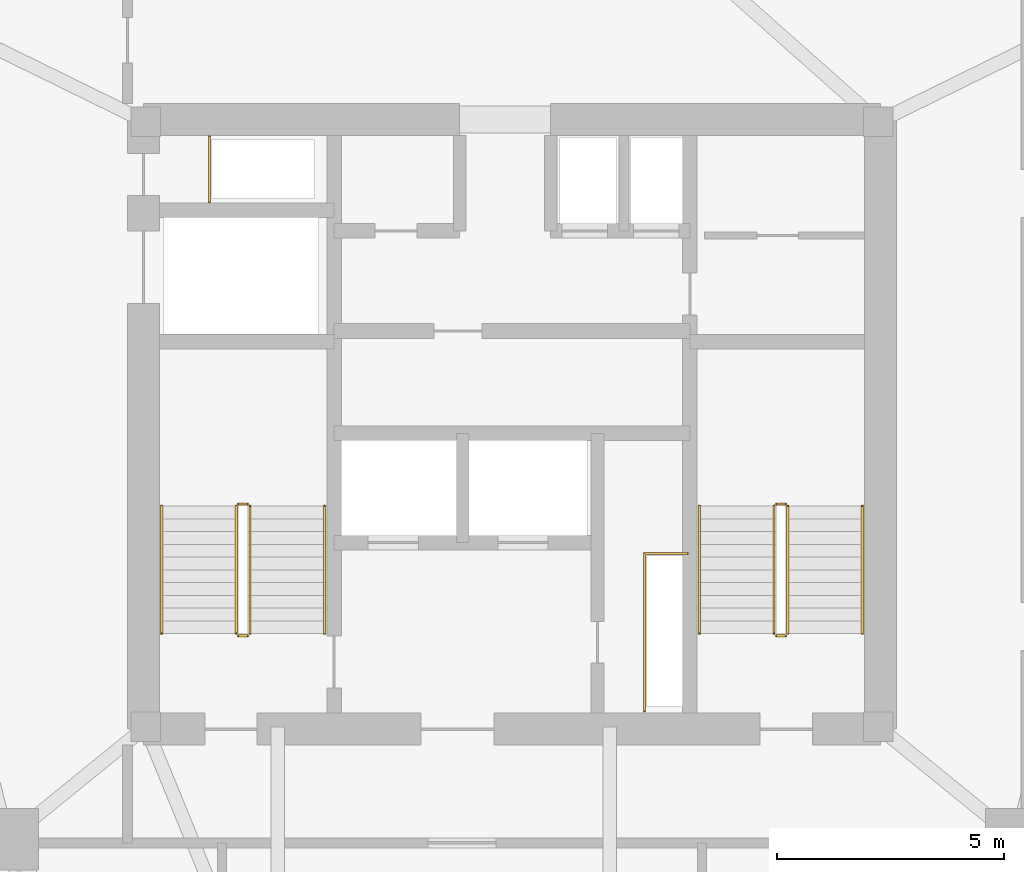
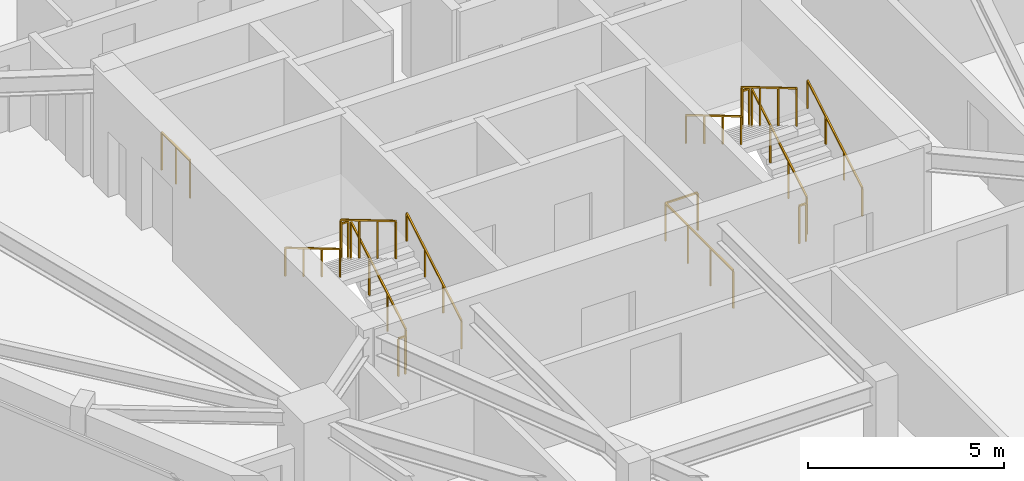
# One storey, part 12 of 12: 14 railings.
"""IFC4 building model written with IfcOpenShell, lengths in metres."""

from ifc_helpers import new_model, si_unit, direction, frame, origin, origin_2d, place, context, subcontext, project, spatial, rectangle, extrude, material, type_object, element, save


model = new_model("IFC4")

# Units and contexts
model_context = context("Model", 3, precision=1e-05, world=origin(), true_north=direction((0.0, 1.0)))
body_context = subcontext(model_context, "Body", "Model", "MODEL_VIEW")
ifc_project = project(units=[si_unit("LENGTHUNIT", "METRE"), si_unit("AREAUNIT", "SQUARE_METRE"), si_unit("VOLUMEUNIT", "CUBIC_METRE"), si_unit("PLANEANGLEUNIT", "RADIAN"), si_unit("MASSUNIT", "GRAM", prefix="KILO")], contexts=[model_context])

# Site, building, storey
site_placement = place(None, origin())
site = spatial("IfcSite", under=ifc_project, at=site_placement, CompositionType="ELEMENT")
building_placement = place(site_placement, origin())
building = spatial("IfcBuilding", under=site, at=building_placement, Name="Talyreon Biosciences Tower", CompositionType="ELEMENT")
storey_placement = place(building_placement, frame((0.0, 0.0, 215.89990234375)))
storey = spatial("IfcBuildingStorey", under=building, at=storey_placement, Name="L57", CompositionType="ELEMENT", Elevation=215.89990234375)

# Railings
ifc_material_1 = material(Name="Brushed stainless-steel tubular handrail", Category="steel")
railing_type_1 = type_object("IfcRailingType", Name="StairWallHandrail_900", PredefinedType="HANDRAIL", material=ifc_material_1)
railing_1_placement = place(storey_placement, frame((61.8798828125, 63.39990234375, 0.166015625)))
element("IfcRailing", 1, at=railing_1_placement, inside=storey, type_object=railing_type_1, Name="L57 ST-1 stair handrail 1", PredefinedType="HANDRAIL", context=body_context, shape_type="SweptSolid", body=[
    extrude(rectangle(XDim=0.048095703125, YDim=0.048095703125, at=origin_2d()), frame((0.0, 0.0, 0.8759765625), z_axis=(0.0, 0.860306154799, 0.50977771628), x_axis=(-1.0, 0.0, 0.0)), (0.0, 0.0, 1.0), 3.254638671875),
    extrude(rectangle(XDim=0.0419921875, YDim=0.0419921875, at=origin_2d()), origin(), (0.0, 0.0, 1.0), 0.851806640625),
    extrude(rectangle(XDim=0.0419921875, YDim=0.0419921875, at=origin_2d()), frame((0.0, 0.933349609375, 0.552978515625)), (0.0, 0.0, 1.0), 0.851806640625),
    extrude(rectangle(XDim=0.0419921875, YDim=0.0419921875, at=origin_2d()), frame((0.0, 1.86669921875, 1.106201171875)), (0.0, 0.0, 1.0), 0.851806640625),
    extrude(rectangle(XDim=0.0419921875, YDim=0.0419921875, at=origin_2d()), frame((0.0, 2.800048828125, 1.6591796875)), (0.0, 0.0, 1.0), 0.851806640625),
])
railing_2_placement = place(storey_placement, frame((58.300048828125, 66.199951171875, 1.990966796875)))
element("IfcRailing", 2, at=railing_2_placement, inside=storey, type_object=railing_type_1, Name="L57 ST-1 stair handrail 2", PredefinedType="HANDRAIL", context=body_context, shape_type="SweptSolid", body=[
    extrude(rectangle(XDim=0.048095703125, YDim=0.048095703125, at=origin_2d()), frame((0.0, 0.0, 0.8759765625), z_axis=(0.0, -0.860306154799, 0.50977771628), x_axis=(1.0, 0.0, 0.0)), (0.0, 0.0, 1.0), 3.254638671875),
    extrude(rectangle(XDim=0.0419921875, YDim=0.0419921875, at=origin_2d()), origin(), (0.0, 0.0, 1.0), 0.851806640625),
    extrude(rectangle(XDim=0.0419921875, YDim=0.0419921875, at=origin_2d()), frame((0.0, -0.933349609375, 0.552978515625)), (0.0, 0.0, 1.0), 0.851806640625),
    extrude(rectangle(XDim=0.0419921875, YDim=0.0419921875, at=origin_2d()), frame((0.0, -1.86669921875, 1.106201171875)), (0.0, 0.0, 1.0), 0.851806640625),
    extrude(rectangle(XDim=0.0419921875, YDim=0.0419921875, at=origin_2d()), frame((0.0, -2.800048828125, 1.6591796875)), (0.0, 0.0, 1.0), 0.851806640625),
])
railing_3_placement = place(storey_placement, frame((73.699951171875, 63.39990234375, 0.166015625)))
element("IfcRailing", 3, at=railing_3_placement, inside=storey, type_object=railing_type_1, Name="L57 ST-2 stair handrail 1", PredefinedType="HANDRAIL", context=body_context, shape_type="SweptSolid", body=[
    extrude(rectangle(XDim=0.048095703125, YDim=0.048095703125, at=origin_2d()), frame((0.0, 0.0, 0.8759765625), z_axis=(0.0, 0.860306154799, 0.50977771628), x_axis=(-1.0, 0.0, 0.0)), (0.0, 0.0, 1.0), 3.254638671875),
    extrude(rectangle(XDim=0.0419921875, YDim=0.0419921875, at=origin_2d()), origin(), (0.0, 0.0, 1.0), 0.851806640625),
    extrude(rectangle(XDim=0.0419921875, YDim=0.0419921875, at=origin_2d()), frame((0.0, 0.933349609375, 0.552978515625)), (0.0, 0.0, 1.0), 0.851806640625),
    extrude(rectangle(XDim=0.0419921875, YDim=0.0419921875, at=origin_2d()), frame((0.0, 1.86669921875, 1.106201171875)), (0.0, 0.0, 1.0), 0.851806640625),
    extrude(rectangle(XDim=0.0419921875, YDim=0.0419921875, at=origin_2d()), frame((0.0, 2.800048828125, 1.6591796875)), (0.0, 0.0, 1.0), 0.851806640625),
])
railing_4_placement = place(storey_placement, frame((70.1201171875, 66.199951171875, 1.990966796875)))
element("IfcRailing", 4, at=railing_4_placement, inside=storey, type_object=railing_type_1, Name="L57 ST-2 stair handrail 2", PredefinedType="HANDRAIL", context=body_context, shape_type="SweptSolid", body=[
    extrude(rectangle(XDim=0.048095703125, YDim=0.048095703125, at=origin_2d()), frame((0.0, 0.0, 0.8759765625), z_axis=(0.0, -0.860306154799, 0.50977771628), x_axis=(1.0, 0.0, 0.0)), (0.0, 0.0, 1.0), 3.254638671875),
    extrude(rectangle(XDim=0.0419921875, YDim=0.0419921875, at=origin_2d()), origin(), (0.0, 0.0, 1.0), 0.851806640625),
    extrude(rectangle(XDim=0.0419921875, YDim=0.0419921875, at=origin_2d()), frame((0.0, -0.933349609375, 0.552978515625)), (0.0, 0.0, 1.0), 0.851806640625),
    extrude(rectangle(XDim=0.0419921875, YDim=0.0419921875, at=origin_2d()), frame((0.0, -1.86669921875, 1.106201171875)), (0.0, 0.0, 1.0), 0.851806640625),
    extrude(rectangle(XDim=0.0419921875, YDim=0.0419921875, at=origin_2d()), frame((0.0, -2.800048828125, 1.6591796875)), (0.0, 0.0, 1.0), 0.851806640625),
])
ifc_material_2 = material(Name="Painted galvanised steel post-and-rail balustrade", Category="steel")
railing_type_2 = type_object("IfcRailingType", Name="TerraceStairGuard_1200", PredefinedType="GUARDRAIL", material=ifc_material_2)
railing_5_placement = place(storey_placement, frame((60.239990234375, 63.39990234375, 0.166015625)))
element("IfcRailing", 5, at=railing_5_placement, inside=storey, type_object=railing_type_2, Name="L57 ST-1 stair guard 1", PredefinedType="GUARDRAIL", context=body_context, shape_type="SweptSolid", body=[
    extrude(rectangle(XDim=0.048095703125, YDim=0.048095703125, at=origin_2d()), frame((0.0, 0.0, 1.17578125), z_axis=(0.0, 0.860306154799, 0.50977771628), x_axis=(-1.0, 0.0, 0.0)), (0.0, 0.0, 1.0), 3.254638671875),
    extrude(rectangle(XDim=0.0419921875, YDim=0.0419921875, at=origin_2d()), origin(), (0.0, 0.0, 1.0), 1.15185546875),
    extrude(rectangle(XDim=0.0419921875, YDim=0.0419921875, at=origin_2d()), frame((0.0, 0.933349609375, 0.552978515625)), (0.0, 0.0, 1.0), 1.15185546875),
    extrude(rectangle(XDim=0.0419921875, YDim=0.0419921875, at=origin_2d()), frame((0.0, 1.86669921875, 1.106201171875)), (0.0, 0.0, 1.0), 1.15185546875),
    extrude(rectangle(XDim=0.0419921875, YDim=0.0419921875, at=origin_2d()), frame((0.0, 2.800048828125, 1.6591796875)), (0.0, 0.0, 1.0), 1.15185546875),
])
railing_6_placement = place(storey_placement, frame((60.18994140625, 66.25, 1.8251953125)))
element("IfcRailing", 6, at=railing_6_placement, inside=storey, type_object=railing_type_2, Name="L57 ST-1 stair guard 2", PredefinedType="GUARDRAIL", context=body_context, shape_type="SweptSolid", body=[
    extrude(rectangle(XDim=0.048095703125, YDim=0.048095703125, at=origin_2d()), frame((0.0, 0.0, 1.17578125), z_axis=(-1.0, 0.0, 0.0), x_axis=(0.0, -1.0, 0.0)), (0.0, 0.0, 1.0), 0.199951171875),
    extrude(rectangle(XDim=0.0419921875, YDim=0.0419921875, at=origin_2d()), origin(), (0.0, 0.0, 1.0), 1.15185546875),
    extrude(rectangle(XDim=0.0419921875, YDim=0.0419921875, at=origin_2d()), frame((-0.199951171875, 0.0, 0.0)), (0.0, 0.0, 1.0), 1.15185546875),
])
railing_7_placement = place(storey_placement, frame((59.93994140625, 66.199951171875, 1.990966796875)))
element("IfcRailing", 7, at=railing_7_placement, inside=storey, type_object=railing_type_2, Name="L57 ST-1 stair guard 3", PredefinedType="GUARDRAIL", context=body_context, shape_type="SweptSolid", body=[
    extrude(rectangle(XDim=0.048095703125, YDim=0.048095703125, at=origin_2d()), frame((0.0, 0.0, 1.17578125), z_axis=(0.0, -0.860306154799, 0.50977771628), x_axis=(1.0, 0.0, 0.0)), (0.0, 0.0, 1.0), 3.254638671875),
    extrude(rectangle(XDim=0.0419921875, YDim=0.0419921875, at=origin_2d()), origin(), (0.0, 0.0, 1.0), 1.15185546875),
    extrude(rectangle(XDim=0.0419921875, YDim=0.0419921875, at=origin_2d()), frame((0.0, -0.933349609375, 0.552978515625)), (0.0, 0.0, 1.0), 1.15185546875),
    extrude(rectangle(XDim=0.0419921875, YDim=0.0419921875, at=origin_2d()), frame((0.0, -1.86669921875, 1.106201171875)), (0.0, 0.0, 1.0), 1.15185546875),
    extrude(rectangle(XDim=0.0419921875, YDim=0.0419921875, at=origin_2d()), frame((0.0, -2.800048828125, 1.6591796875)), (0.0, 0.0, 1.0), 1.15185546875),
])
railing_8_placement = place(storey_placement, frame((60.18994140625, 63.35009765625, 0.0)))
element("IfcRailing", 8, at=railing_8_placement, inside=storey, type_object=railing_type_2, Name="L57 ST-1 stair guard 4", PredefinedType="GUARDRAIL", context=body_context, shape_type="SweptSolid", body=[
    extrude(rectangle(XDim=0.048095703125, YDim=0.048095703125, at=origin_2d()), frame((0.0, 0.0, 1.17578125), z_axis=(-1.0, 0.0, 0.0), x_axis=(0.0, -1.0, 0.0)), (0.0, 0.0, 1.0), 0.199951171875),
    extrude(rectangle(XDim=0.0419921875, YDim=0.0419921875, at=origin_2d()), origin(), (0.0, 0.0, 1.0), 1.15185546875),
    extrude(rectangle(XDim=0.0419921875, YDim=0.0419921875, at=origin_2d()), frame((-0.199951171875, 0.0, 0.0)), (0.0, 0.0, 1.0), 1.15185546875),
])
railing_9_placement = place(storey_placement, frame((72.06005859375, 63.39990234375, 0.166015625)))
element("IfcRailing", 9, at=railing_9_placement, inside=storey, type_object=railing_type_2, Name="L57 ST-2 stair guard 1", PredefinedType="GUARDRAIL", context=body_context, shape_type="SweptSolid", body=[
    extrude(rectangle(XDim=0.048095703125, YDim=0.048095703125, at=origin_2d()), frame((0.0, 0.0, 1.17578125), z_axis=(0.0, 0.860306154799, 0.50977771628), x_axis=(-1.0, 0.0, 0.0)), (0.0, 0.0, 1.0), 3.254638671875),
    extrude(rectangle(XDim=0.0419921875, YDim=0.0419921875, at=origin_2d()), origin(), (0.0, 0.0, 1.0), 1.15185546875),
    extrude(rectangle(XDim=0.0419921875, YDim=0.0419921875, at=origin_2d()), frame((0.0, 0.933349609375, 0.552978515625)), (0.0, 0.0, 1.0), 1.15185546875),
    extrude(rectangle(XDim=0.0419921875, YDim=0.0419921875, at=origin_2d()), frame((0.0, 1.86669921875, 1.106201171875)), (0.0, 0.0, 1.0), 1.15185546875),
    extrude(rectangle(XDim=0.0419921875, YDim=0.0419921875, at=origin_2d()), frame((0.0, 2.800048828125, 1.6591796875)), (0.0, 0.0, 1.0), 1.15185546875),
])
railing_10_placement = place(storey_placement, frame((72.010009765625, 66.25, 1.8251953125)))
element("IfcRailing", 10, at=railing_10_placement, inside=storey, type_object=railing_type_2, Name="L57 ST-2 stair guard 2", PredefinedType="GUARDRAIL", context=body_context, shape_type="SweptSolid", body=[
    extrude(rectangle(XDim=0.048095703125, YDim=0.048095703125, at=origin_2d()), frame((0.0, 0.0, 1.17578125), z_axis=(-1.0, 0.0, 0.0), x_axis=(0.0, -1.0, 0.0)), (0.0, 0.0, 1.0), 0.199951171875),
    extrude(rectangle(XDim=0.0419921875, YDim=0.0419921875, at=origin_2d()), origin(), (0.0, 0.0, 1.0), 1.15185546875),
    extrude(rectangle(XDim=0.0419921875, YDim=0.0419921875, at=origin_2d()), frame((-0.199951171875, 0.0, 0.0)), (0.0, 0.0, 1.0), 1.15185546875),
])
railing_11_placement = place(storey_placement, frame((71.760009765625, 66.199951171875, 1.990966796875)))
element("IfcRailing", 11, at=railing_11_placement, inside=storey, type_object=railing_type_2, Name="L57 ST-2 stair guard 3", PredefinedType="GUARDRAIL", context=body_context, shape_type="SweptSolid", body=[
    extrude(rectangle(XDim=0.048095703125, YDim=0.048095703125, at=origin_2d()), frame((0.0, 0.0, 1.17578125), z_axis=(0.0, -0.860306154799, 0.50977771628), x_axis=(1.0, 0.0, 0.0)), (0.0, 0.0, 1.0), 3.254638671875),
    extrude(rectangle(XDim=0.0419921875, YDim=0.0419921875, at=origin_2d()), origin(), (0.0, 0.0, 1.0), 1.15185546875),
    extrude(rectangle(XDim=0.0419921875, YDim=0.0419921875, at=origin_2d()), frame((0.0, -0.933349609375, 0.552978515625)), (0.0, 0.0, 1.0), 1.15185546875),
    extrude(rectangle(XDim=0.0419921875, YDim=0.0419921875, at=origin_2d()), frame((0.0, -1.86669921875, 1.106201171875)), (0.0, 0.0, 1.0), 1.15185546875),
    extrude(rectangle(XDim=0.0419921875, YDim=0.0419921875, at=origin_2d()), frame((0.0, -2.800048828125, 1.6591796875)), (0.0, 0.0, 1.0), 1.15185546875),
])
railing_12_placement = place(storey_placement, frame((72.010009765625, 63.35009765625, 0.0)))
element("IfcRailing", 12, at=railing_12_placement, inside=storey, type_object=railing_type_2, Name="L57 ST-2 stair guard 4", PredefinedType="GUARDRAIL", context=body_context, shape_type="SweptSolid", body=[
    extrude(rectangle(XDim=0.048095703125, YDim=0.048095703125, at=origin_2d()), frame((0.0, 0.0, 1.17578125), z_axis=(-1.0, 0.0, 0.0), x_axis=(0.0, -1.0, 0.0)), (0.0, 0.0, 1.0), 0.199951171875),
    extrude(rectangle(XDim=0.0419921875, YDim=0.0419921875, at=origin_2d()), origin(), (0.0, 0.0, 1.0), 1.15185546875),
    extrude(rectangle(XDim=0.0419921875, YDim=0.0419921875, at=origin_2d()), frame((-0.199951171875, 0.0, 0.0)), (0.0, 0.0, 1.0), 1.15185546875),
])
railing_13_placement = place(storey_placement, frame((59.35009765625, 72.8798828125, 0.0)))
element("IfcRailing", 13, at=railing_13_placement, inside=storey, type_object=railing_type_2, Name="L57 Exhaust Riser Maintenance Guardrail", PredefinedType="GUARDRAIL", context=body_context, shape_type="SweptSolid", body=[
    extrude(rectangle(XDim=0.048095703125, YDim=0.048095703125, at=origin_2d()), frame((0.0, 0.0, 1.17578125), z_axis=(0.0, 1.0, 0.0), x_axis=(-1.0, 0.0, 0.0)), (0.0, 0.0, 1.0), 1.4501953125),
    extrude(rectangle(XDim=0.0419921875, YDim=0.0419921875, at=origin_2d()), origin(), (0.0, 0.0, 1.0), 1.15185546875),
    extrude(rectangle(XDim=0.0419921875, YDim=0.0419921875, at=origin_2d()), frame((0.0, 0.72509765625, 0.0)), (0.0, 0.0, 1.0), 1.15185546875),
    extrude(rectangle(XDim=0.0419921875, YDim=0.0419921875, at=origin_2d()), frame((0.0, 1.4501953125, 0.0)), (0.0, 0.0, 1.0), 1.15185546875),
])
railing_14_placement = place(storey_placement, frame((68.909912109375, 61.699951171875, 0.0)))
element("IfcRailing", 14, at=railing_14_placement, inside=storey, type_object=railing_type_2, Name="L57 Electrical Riser Maintenance Guardrail", PredefinedType="GUARDRAIL", context=body_context, shape_type="SweptSolid", body=[
    extrude(rectangle(XDim=0.048095703125, YDim=0.048095703125, at=origin_2d()), frame((0.0, 0.0, 1.17578125), z_axis=(0.0, 1.0, 0.0), x_axis=(-1.0, 0.0, 0.0)), (0.0, 0.0, 1.0), 3.4599609375),
    extrude(rectangle(XDim=0.048095703125, YDim=0.048095703125, at=origin_2d()), frame((0.0, 3.4599609375, 1.17578125), z_axis=(1.0, 0.0, 0.0), x_axis=(0.0, 1.0, 0.0)), (0.0, 0.0, 1.0), 0.9501953125),
    extrude(rectangle(XDim=0.0419921875, YDim=0.0419921875, at=origin_2d()), origin(), (0.0, 0.0, 1.0), 1.15185546875),
    extrude(rectangle(XDim=0.0419921875, YDim=0.0419921875, at=origin_2d()), frame((0.0, 1.1533203125, 0.0)), (0.0, 0.0, 1.0), 1.15185546875),
    extrude(rectangle(XDim=0.0419921875, YDim=0.0419921875, at=origin_2d()), frame((0.0, 2.306640625, 0.0)), (0.0, 0.0, 1.0), 1.15185546875),
    extrude(rectangle(XDim=0.0419921875, YDim=0.0419921875, at=origin_2d()), frame((0.0, 3.4599609375, 0.0)), (0.0, 0.0, 1.0), 1.15185546875),
    extrude(rectangle(XDim=0.0419921875, YDim=0.0419921875, at=origin_2d()), frame((0.9501953125, 3.4599609375, 0.0)), (0.0, 0.0, 1.0), 1.15185546875),
])

save(model, "model.ifc")
